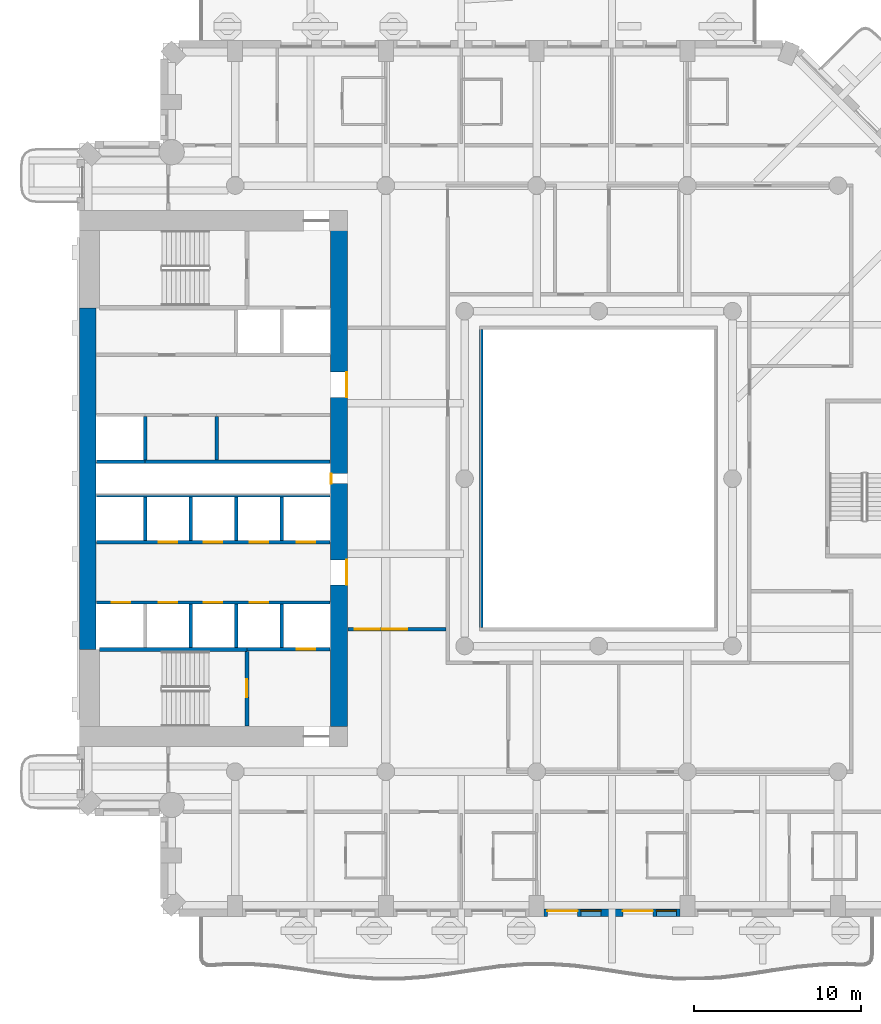
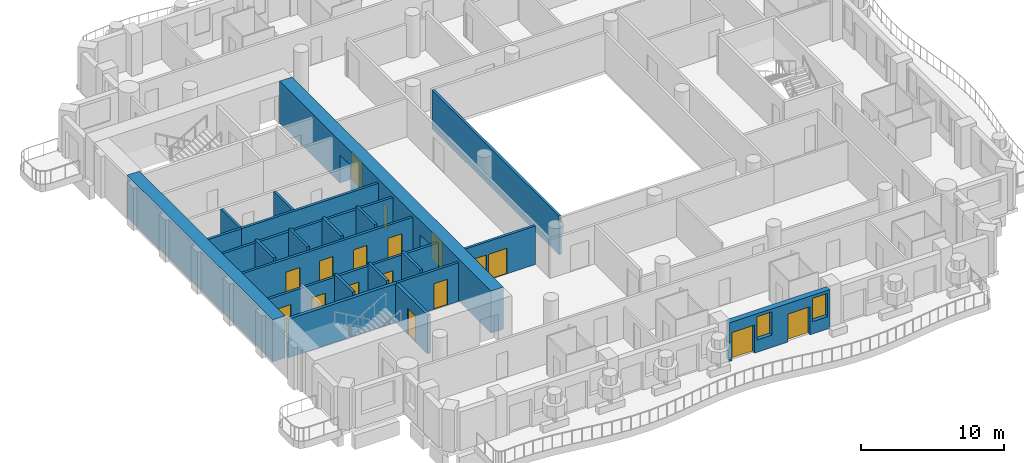
# One storey, part 4 of 19: 22 walls, 17 doors, 2 windows, 19 openings.
"""IFC4 building model written with IfcOpenShell, lengths in metres."""

from ifc_helpers import new_model, si_unit, direction, frame, frame_2d, origin, place, context, subcontext, project, spatial, rectangle, extrude, material, layer, layer_set, type_object, element, fill, save


model = new_model("IFC4")

# Units and contexts
model_context = context("Model", 3, precision=1e-05, world=origin(), true_north=direction((0.0, 1.0)))
body_context = subcontext(model_context, "Body", "Model", "MODEL_VIEW")
ifc_project = project(units=[si_unit("LENGTHUNIT", "METRE"), si_unit("AREAUNIT", "SQUARE_METRE"), si_unit("VOLUMEUNIT", "CUBIC_METRE"), si_unit("PLANEANGLEUNIT", "RADIAN"), si_unit("MASSUNIT", "GRAM", prefix="KILO")], contexts=[model_context])

# Site, building, storey
site_placement = place(None, origin())
site = spatial("IfcSite", under=ifc_project, at=site_placement, CompositionType="ELEMENT")
building_placement = place(site_placement, origin())
building = spatial("IfcBuilding", under=site, at=building_placement, Name="Cypress Arch Tower", CompositionType="ELEMENT")
storey_placement = place(building_placement, frame((0.0, 0.0, 105.89990234375)))
storey = spatial("IfcBuildingStorey", under=building, at=storey_placement, Name="L21", CompositionType="ELEMENT", Elevation=105.89990234375)

# Wall, openings, doors, windows
ifc_material_1 = material(Name="Brick (red buff blend)", Category="masonry")
ifc_layer_1 = layer(ifc_material_1, 0.449951171875)
ifc_layer_set_1 = layer_set([ifc_layer_1], Name="Brick pier and spandrel wall BW450")
wall_type_1 = type_object("IfcWallType", Name="Brick pier and spandrel wall BW450", PredefinedType="SOLIDWALL", material=ifc_layer_set_1)
wall_1_placement = place(storey_placement, frame((-2.25, -25.925048828125, 0.0), z_axis=(0.0, 0.0, 1.0), x_axis=(1.0, 0.0, 0.0)))
wall_1 = element("IfcWall", 1, at=wall_1_placement, inside=storey, type_object=wall_type_1, Name="Brick wall L21 A03.3", PredefinedType="SOLIDWALL", context=body_context, shape_type="SweptSolid", body=[
    extrude(rectangle(XDim=8.10009765625, YDim=0.449951171875, at=frame_2d((4.050048828125, 0.0))), origin(), (0.0, 0.0, 1.0), 3.300048828125),
])
opening_1_placement = place(wall_1_placement, frame((0.199951171875, 0.0, 0.0)))
opening_1 = element("IfcOpeningElement", 2, at=opening_1_placement, cuts=wall_1, Name="Opening D-L21-A03.3.1", PredefinedType="OPENING", context=body_context, shape_type="SweptSolid", body=[
    extrude(rectangle(XDim=1.800048828125, YDim=2.39990234375, at=frame_2d((0.89990234375, 1.199951171875))), frame((0.0, 0.23486328125, 0.0), z_axis=(0.0, -1.0, 0.0), x_axis=(1.0, 0.0, 0.0)), (0.0, 0.0, 1.0), 0.469970703125),
])
opening_2_placement = place(wall_1_placement, frame((2.199951171875, 0.0, 1.050048828125)))
opening_2 = element("IfcOpeningElement", 3, at=opening_2_placement, cuts=wall_1, Name="Opening W120HD", PredefinedType="OPENING", context=body_context, shape_type="SweptSolid", body=[
    extrude(rectangle(XDim=1.199951171875, YDim=2.0, at=frame_2d((0.60009765625, 1.0))), frame((0.0, 0.23486328125, 0.0), z_axis=(0.0, -1.0, 0.0), x_axis=(1.0, 0.0, 0.0)), (0.0, 0.0, 1.0), 0.469970703125),
])
opening_3_placement = place(wall_1_placement, frame((4.699951171875, 0.0, 0.0)))
opening_3 = element("IfcOpeningElement", 4, at=opening_3_placement, cuts=wall_1, Name="Opening D-L21-A03.3.2", PredefinedType="OPENING", context=body_context, shape_type="SweptSolid", body=[
    extrude(rectangle(XDim=1.800048828125, YDim=2.39990234375, at=frame_2d((0.89990234375, 1.199951171875))), frame((0.0, 0.23486328125, 0.0), z_axis=(0.0, -1.0, 0.0), x_axis=(1.0, 0.0, 0.0)), (0.0, 0.0, 1.0), 0.469970703125),
])
opening_4_placement = place(wall_1_placement, frame((6.699951171875, 0.0, 1.050048828125)))
opening_4 = element("IfcOpeningElement", 5, at=opening_4_placement, cuts=wall_1, Name="Opening W120HD", PredefinedType="OPENING", context=body_context, shape_type="SweptSolid", body=[
    extrude(rectangle(XDim=1.199951171875, YDim=2.0, at=frame_2d((0.60009765625, 1.0))), frame((0.0, 0.23486328125, 0.0), z_axis=(0.0, -1.0, 0.0), x_axis=(1.0, 0.0, 0.0)), (0.0, 0.0, 1.0), 0.469970703125),
])
ifc_material_2 = material(Name="Anodised aluminium, bronze finish, laminated low-emissivity double glazing, large-missile impact rated", Category="aluminium")
door_type_1 = type_object("IfcDoorType", Name="Balcony sliding door 1800x2400", OperationType="SLIDING_TO_LEFT", PredefinedType="DOOR", material=ifc_material_2)
door_1_placement = place(opening_1_placement, origin())
door_1 = element("IfcDoor", 6, at=door_1_placement, inside=storey, type_object=door_type_1, Name="Balcony door L21 A03.3.1", OperationType="SLIDING_TO_LEFT", OverallHeight=2.39990234375, OverallWidth=1.800048828125, PredefinedType="DOOR", context=body_context, shape_type="SweptSolid", body=[
    extrude(rectangle(XDim=1.800048828125, YDim=2.39990234375, at=frame_2d((0.89990234375, 1.199951171875))), frame((0.0, 0.1298828125, 0.0), z_axis=(0.0, -1.0, 0.0), x_axis=(1.0, 0.0, 0.0)), (0.0, 0.0, 1.0), 0.050048828125),
])
fill(opening_1, door_1)
door_2_placement = place(opening_3_placement, origin())
door_2 = element("IfcDoor", 7, at=door_2_placement, inside=storey, type_object=door_type_1, Name="Balcony door L21 A03.3.2", OperationType="SLIDING_TO_LEFT", OverallHeight=2.39990234375, OverallWidth=1.800048828125, PredefinedType="DOOR", context=body_context, shape_type="SweptSolid", body=[
    extrude(rectangle(XDim=1.800048828125, YDim=2.39990234375, at=frame_2d((0.89990234375, 1.199951171875))), frame((0.0, 0.1298828125, 0.0), z_axis=(0.0, -1.0, 0.0), x_axis=(1.0, 0.0, 0.0)), (0.0, 0.0, 1.0), 0.050048828125),
])
fill(opening_3, door_2)
ifc_material_3 = material(Name="Anodised aluminium, bronze finish, laminated low-emissivity double glazing, large-missile impact rated", Category="aluminium")
window_type = type_object("IfcWindowType", Name="Window Hotel 1200x2000 debris-rated", PartitioningType="SINGLE_PANEL", PredefinedType="WINDOW", material=ifc_material_3)
window_1_placement = place(opening_2_placement, origin())
window_1 = element("IfcWindow", 8, at=window_1_placement, inside=storey, type_object=window_type, Name="Window L21 A03.3.1", OverallHeight=2.0, OverallWidth=1.199951171875, PartitioningType="SINGLE_PANEL", PredefinedType="WINDOW", context=body_context, shape_type="SweptSolid", body=[
    extrude(rectangle(XDim=1.199951171875, YDim=2.0, at=frame_2d((0.60009765625, 1.0))), frame((0.0, 0.135009765625, 0.0), z_axis=(0.0, -1.0, 0.0), x_axis=(1.0, 0.0, 0.0)), (0.0, 0.0, 1.0), 0.06005859375),
])
fill(opening_2, window_1)
window_2_placement = place(opening_4_placement, origin())
window_2 = element("IfcWindow", 9, at=window_2_placement, inside=storey, type_object=window_type, Name="Window L21 A03.3.2", OverallHeight=2.0, OverallWidth=1.199951171875, PartitioningType="SINGLE_PANEL", PredefinedType="WINDOW", context=body_context, shape_type="SweptSolid", body=[
    extrude(rectangle(XDim=1.199951171875, YDim=2.0, at=frame_2d((0.60009765625, 1.0))), frame((0.0, 0.135009765625, 0.0), z_axis=(0.0, -1.0, 0.0), x_axis=(1.0, 0.0, 0.0)), (0.0, 0.0, 1.0), 0.06005859375),
])
fill(opening_4, window_2)

# Wall, openings, doors
ifc_material_4 = material(Name="Concrete C80/95", Category="concrete")
ifc_layer_2 = layer(ifc_material_4, 1.0)
ifc_layer_set_2 = layer_set([ifc_layer_2], Name="Core wall CW1000 C80/95")
wall_type_2 = type_object("IfcWallType", Name="Core wall CW1000 C80/95", PredefinedType="SHEAR", material=ifc_layer_set_2)
wall_2_placement = place(storey_placement, frame((-14.5, -14.800048828125, 0.0), z_axis=(0.0, 0.0, 1.0), x_axis=(0.0, 1.0, 0.0)))
wall_2 = element("IfcWall", 10, at=wall_2_placement, inside=storey, type_object=wall_type_2, Name="Core wall", PredefinedType="SHEAR", context=body_context, shape_type="SweptSolid", body=[
    extrude(rectangle(XDim=29.60009765625, YDim=1.0, at=frame_2d((14.800048828125, 0.0))), origin(), (0.0, 0.0, 1.0), 3.60009765625),
])
opening_5_placement = place(wall_2_placement, frame((8.449951171875, 0.0, 0.0)))
opening_5 = element("IfcOpeningElement", 11, at=opening_5_placement, cuts=wall_2, Name="Opening D07", PredefinedType="OPENING", context=body_context, shape_type="SweptSolid", body=[
    extrude(rectangle(XDim=1.5, YDim=2.39990234375, at=frame_2d((0.75, 1.199951171875))), frame((0.0, 0.510009765625, 0.0), z_axis=(0.0, -1.0, 0.0), x_axis=(1.0, 0.0, 0.0)), (0.0, 0.0, 1.0), 1.02001953125),
])
opening_6_placement = place(wall_2_placement, frame((19.64990234375, 0.0, 0.0)))
opening_6 = element("IfcOpeningElement", 12, at=opening_6_placement, cuts=wall_2, Name="Opening D07", PredefinedType="OPENING", context=body_context, shape_type="SweptSolid", body=[
    extrude(rectangle(XDim=1.5, YDim=2.39990234375, at=frame_2d((0.75, 1.199951171875))), frame((0.0, 0.510009765625, 0.0), z_axis=(0.0, -1.0, 0.0), x_axis=(1.0, 0.0, 0.0)), (0.0, 0.0, 1.0), 1.02001953125),
])
opening_7_placement = place(wall_2_placement, frame((14.5, 0.0, 0.0)))
opening_7 = element("IfcOpeningElement", 13, at=opening_7_placement, cuts=wall_2, Name="Opening D08", PredefinedType="OPENING", context=body_context, shape_type="SweptSolid", body=[
    extrude(rectangle(XDim=0.60009765625, YDim=2.0, at=frame_2d((0.300048828125, 1.0))), frame((0.0, 0.510009765625, 0.0), z_axis=(0.0, -1.0, 0.0), x_axis=(1.0, 0.0, 0.0)), (0.0, 0.0, 1.0), 1.02001953125),
])
ifc_material_5 = material(Name="Steel framed glazed door, fire resisting", Category="steel")
door_type_2 = type_object("IfcDoorType", Name="Lobby door D07 1500x2400", OperationType="DOUBLE_DOOR_SINGLE_SWING", PredefinedType="DOOR", material=ifc_material_5)
door_3_placement = place(opening_5_placement, origin())
door_3 = element("IfcDoor", 14, at=door_3_placement, inside=storey, type_object=door_type_2, Name="Lobby door", OperationType="DOUBLE_DOOR_SINGLE_SWING", OverallHeight=2.39990234375, OverallWidth=1.5, PredefinedType="DOOR", context=body_context, shape_type="SweptSolid", body=[
    extrude(rectangle(XDim=1.5, YDim=2.39990234375, at=frame_2d((0.75, 1.199951171875))), frame((0.0, -0.44482421875, 0.0), z_axis=(0.0, -1.0, 0.0), x_axis=(1.0, 0.0, 0.0)), (0.0, 0.0, 1.0), 0.050048828125),
])
fill(opening_5, door_3)
door_4_placement = place(opening_6_placement, origin())
door_4 = element("IfcDoor", 15, at=door_4_placement, inside=storey, type_object=door_type_2, Name="Lobby door", OperationType="DOUBLE_DOOR_SINGLE_SWING", OverallHeight=2.39990234375, OverallWidth=1.5, PredefinedType="DOOR", context=body_context, shape_type="SweptSolid", body=[
    extrude(rectangle(XDim=1.5, YDim=2.39990234375, at=frame_2d((0.75, 1.199951171875))), frame((0.0, -0.44482421875, 0.0), z_axis=(0.0, -1.0, 0.0), x_axis=(1.0, 0.0, 0.0)), (0.0, 0.0, 1.0), 0.050048828125),
])
fill(opening_6, door_4)
ifc_material_6 = material(Name="Steel access door, fire resisting", Category="steel")
door_type_3 = type_object("IfcDoorType", Name="Riser access door D08 600x2000", OperationType="SINGLE_SWING_LEFT", PredefinedType="DOOR", material=ifc_material_6)
door_5_placement = place(opening_7_placement, origin())
door_5 = element("IfcDoor", 16, at=door_5_placement, inside=storey, type_object=door_type_3, Name="Riser access door", OperationType="SINGLE_SWING_RIGHT", OverallHeight=2.0, OverallWidth=0.60009765625, PredefinedType="DOOR", context=body_context, shape_type="SweptSolid", body=[
    extrude(rectangle(XDim=0.60009765625, YDim=2.0, at=frame_2d((0.300048828125, 1.0))), frame((0.0, 0.4951171875, 0.0), z_axis=(0.0, -1.0, 0.0), x_axis=(1.0, 0.0, 0.0)), (0.0, 0.0, 1.0), 0.050048828125),
])
fill(opening_7, door_5)

# Wall
wall_3_placement = place(storey_placement, frame((-29.5, -10.199951171875, 0.0), z_axis=(0.0, 0.0, 1.0), x_axis=(0.0, 1.0, 0.0)))
element("IfcWall", 17, at=wall_3_placement, inside=storey, type_object=wall_type_2, Name="Core wall", PredefinedType="SHEAR", context=body_context, shape_type="SweptSolid", body=[
    extrude(rectangle(XDim=20.39990234375, YDim=1.0, at=frame_2d((10.199951171875, 0.0))), origin(), (0.0, 0.0, 1.0), 3.60009765625),
])

# Wall, openings, doors
ifc_material_7 = material(Name="Concrete blockwork, plastered, rated", Category="masonry")
ifc_layer_3 = layer(ifc_material_7, 0.199951171875)
ifc_layer_set_3 = layer_set([ifc_layer_3], Name="Corridor wall FW200")
wall_type_3 = type_object("IfcWallType", Name="Corridor wall FW200", PredefinedType="PARTITIONING", material=ifc_layer_set_3)
wall_4_placement = place(storey_placement, frame((-13.969970703125, -9.0, 0.0), z_axis=(0.0, 0.0, 1.0), x_axis=(1.0, 0.0, 0.0)))
wall_4 = element("IfcWall", 18, at=wall_4_placement, inside=storey, type_object=wall_type_3, Name="Corridor wall", PredefinedType="PARTITIONING", context=body_context, shape_type="SweptSolid", body=[
    extrude(rectangle(XDim=5.869873046875, YDim=0.199951171875, at=frame_2d((2.93505859375, 0.0))), origin(), (0.0, 0.0, 1.0), 3.300048828125),
])
opening_8_placement = place(wall_4_placement, frame((0.39990234375, 0.0, 0.0)))
opening_8 = element("IfcOpeningElement", 19, at=opening_8_placement, cuts=wall_4, Name="Opening D04", PredefinedType="OPENING", context=body_context, shape_type="SweptSolid", body=[
    extrude(rectangle(XDim=1.5, YDim=2.199951171875, at=frame_2d((0.75, 1.10009765625))), frame((0.0, 0.10986328125, 0.0), z_axis=(0.0, -1.0, 0.0), x_axis=(1.0, 0.0, 0.0)), (0.0, 0.0, 1.0), 0.219970703125),
])
opening_9_placement = place(wall_4_placement, frame((2.050048828125, 0.0, 0.0)))
opening_9 = element("IfcOpeningElement", 20, at=opening_9_placement, cuts=wall_4, Name="Opening D04", PredefinedType="OPENING", context=body_context, shape_type="SweptSolid", body=[
    extrude(rectangle(XDim=1.5, YDim=2.199951171875, at=frame_2d((0.75, 1.10009765625))), frame((0.0, 0.10986328125, 0.0), z_axis=(0.0, -1.0, 0.0), x_axis=(1.0, 0.0, 0.0)), (0.0, 0.0, 1.0), 0.219970703125),
])
ifc_material_8 = material(Name="Timber double door", Category="wood")
door_type_4 = type_object("IfcDoorType", Name="Double door D04 1500x2200", OperationType="DOUBLE_DOOR_SINGLE_SWING", PredefinedType="DOOR", material=ifc_material_8)
door_6_placement = place(opening_8_placement, origin())
door_6 = element("IfcDoor", 21, at=door_6_placement, inside=storey, type_object=door_type_4, Name="Double door", OperationType="DOUBLE_DOOR_SINGLE_SWING", OverallHeight=2.199951171875, OverallWidth=1.5, PredefinedType="DOOR", context=body_context, shape_type="SweptSolid", body=[
    extrude(rectangle(XDim=1.5, YDim=2.199951171875, at=frame_2d((0.75, 1.10009765625))), frame((0.0, 0.02490234375, 0.0), z_axis=(0.0, -1.0, 0.0), x_axis=(1.0, 0.0, 0.0)), (0.0, 0.0, 1.0), 0.050048828125),
])
fill(opening_8, door_6)
door_7_placement = place(opening_9_placement, origin())
door_7 = element("IfcDoor", 22, at=door_7_placement, inside=storey, type_object=door_type_4, Name="Double door", OperationType="DOUBLE_DOOR_SINGLE_SWING", OverallHeight=2.199951171875, OverallWidth=1.5, PredefinedType="DOOR", context=body_context, shape_type="SweptSolid", body=[
    extrude(rectangle(XDim=1.5, YDim=2.199951171875, at=frame_2d((0.75, 1.10009765625))), frame((0.0, 0.02490234375, 0.0), z_axis=(0.0, -1.0, 0.0), x_axis=(1.0, 0.0, 0.0)), (0.0, 0.0, 1.0), 0.050048828125),
])
fill(opening_9, door_7)

# Walls
wall_5_placement = place(storey_placement, frame((-6.0, -8.89990234375, 0.0), z_axis=(0.0, 0.0, 1.0), x_axis=(0.0, 1.0, 0.0)))
element("IfcWall", 23, at=wall_5_placement, inside=storey, type_object=wall_type_3, Name="Corridor wall", PredefinedType="PARTITIONING", context=body_context, shape_type="SweptSolid", body=[
    extrude(rectangle(XDim=17.7998046875, YDim=0.199951171875, at=frame_2d((8.89990234375, 0.0))), origin(), (0.0, 0.0, 1.0), 3.300048828125),
])
ifc_material_9 = material(Name="Reinforced blockwork, plastered, rated", Category="masonry")
ifc_layer_4 = layer(ifc_material_9, 0.199951171875)
ifc_layer_set_4 = layer_set([ifc_layer_4], Name="Plant and riser wall PL200")
wall_type_4 = type_object("IfcWallType", Name="Plant and riser wall PL200", PredefinedType="PARTITIONING", material=ifc_layer_set_4)
wall_6_placement = place(storey_placement, frame((-26.10009765625, 1.0, 0.0), z_axis=(0.0, 0.0, 1.0), x_axis=(1.0, 0.0, 0.0)))
element("IfcWall", 24, at=wall_6_placement, inside=storey, type_object=wall_type_4, Name="Plant and riser wall", PredefinedType="PARTITIONING", context=body_context, shape_type="SweptSolid", body=[
    extrude(rectangle(XDim=11.070068359375, YDim=0.199951171875, at=frame_2d((5.53515625, 0.0))), origin(), (0.0, 0.0, 1.0), 3.300048828125),
])
wall_7_placement = place(storey_placement, frame((-21.800048828125, 1.10009765625, 0.0), z_axis=(0.0, 0.0, 1.0), x_axis=(0.0, 1.0, 0.0)))
element("IfcWall", 25, at=wall_7_placement, inside=storey, type_object=wall_type_4, Name="Plant and riser wall", PredefinedType="PARTITIONING", context=body_context, shape_type="SweptSolid", body=[
    extrude(rectangle(XDim=2.599853515625, YDim=0.199951171875, at=frame_2d((1.2998046875, 0.0))), origin(), (0.0, 0.0, 1.0), 3.300048828125),
])

# Wall, openings, doors
ifc_material_10 = material(Name="Concrete C50/60", Category="concrete")
ifc_layer_5 = layer(ifc_material_10, 0.199951171875)
ifc_layer_set_5 = layer_set([ifc_layer_5], Name="Shaft wall SH200")
wall_type_5 = type_object("IfcWallType", Name="Shaft wall SH200", PredefinedType="SHEAR", material=ifc_layer_set_5)
wall_8_placement = place(storey_placement, frame((-28.969970703125, -7.39990234375, 0.0), z_axis=(0.0, 0.0, 1.0), x_axis=(1.0, 0.0, 0.0)))
wall_8 = element("IfcWall", 26, at=wall_8_placement, inside=storey, type_object=wall_type_5, Name="Shaft wall", PredefinedType="SHEAR", context=body_context, shape_type="SweptSolid", body=[
    extrude(rectangle(XDim=13.93994140625, YDim=0.199951171875, at=frame_2d((6.969970703125, 0.0))), origin(), (0.0, 0.0, 1.0), 3.300048828125),
])
opening_10_placement = place(wall_8_placement, frame((0.89990234375, 0.0, 0.0)))
opening_10 = element("IfcOpeningElement", 27, at=opening_10_placement, cuts=wall_8, Name="Opening LD-LR1", PredefinedType="OPENING", context=body_context, shape_type="SweptSolid", body=[
    extrude(rectangle(XDim=1.10009765625, YDim=2.199951171875, at=frame_2d((0.550048828125, 1.10009765625))), frame((0.0, 0.10986328125, 0.0), z_axis=(0.0, -1.0, 0.0), x_axis=(1.0, 0.0, 0.0)), (0.0, 0.0, 1.0), 0.219970703125),
])
opening_11_placement = place(wall_8_placement, frame((3.699951171875, 0.0, 0.0)))
opening_11 = element("IfcOpeningElement", 28, at=opening_11_placement, cuts=wall_8, Name="Opening LD-LR2", PredefinedType="OPENING", context=body_context, shape_type="SweptSolid", body=[
    extrude(rectangle(XDim=1.10009765625, YDim=2.199951171875, at=frame_2d((0.550048828125, 1.10009765625))), frame((0.0, 0.10986328125, 0.0), z_axis=(0.0, -1.0, 0.0), x_axis=(1.0, 0.0, 0.0)), (0.0, 0.0, 1.0), 0.219970703125),
])
opening_12_placement = place(wall_8_placement, frame((6.39990234375, 0.0, 0.0)))
opening_12 = element("IfcOpeningElement", 29, at=opening_12_placement, cuts=wall_8, Name="Opening LD-LR3", PredefinedType="OPENING", context=body_context, shape_type="SweptSolid", body=[
    extrude(rectangle(XDim=1.10009765625, YDim=2.199951171875, at=frame_2d((0.550048828125, 1.10009765625))), frame((0.0, 0.10986328125, 0.0), z_axis=(0.0, -1.0, 0.0), x_axis=(1.0, 0.0, 0.0)), (0.0, 0.0, 1.0), 0.219970703125),
])
opening_13_placement = place(wall_8_placement, frame((9.14990234375, 0.0, 0.0)))
opening_13 = element("IfcOpeningElement", 30, at=opening_13_placement, cuts=wall_8, Name="Opening LD-LR4", PredefinedType="OPENING", context=body_context, shape_type="SweptSolid", body=[
    extrude(rectangle(XDim=1.10009765625, YDim=2.199951171875, at=frame_2d((0.550048828125, 1.10009765625))), frame((0.0, 0.10986328125, 0.0), z_axis=(0.0, -1.0, 0.0), x_axis=(1.0, 0.0, 0.0)), (0.0, 0.0, 1.0), 0.219970703125),
])
ifc_material_11 = material(Name="Stainless steel centre-opening landing door, rated", Category="steel")
door_type_5 = type_object("IfcDoorType", Name="Lift landing door LD 1100x2200", OperationType="DOUBLE_DOOR_SLIDING", PredefinedType="DOOR", material=ifc_material_11)
door_8_placement = place(opening_10_placement, origin())
door_8 = element("IfcDoor", 31, at=door_8_placement, inside=storey, type_object=door_type_5, Name="Lift landing doors LR1", OperationType="DOUBLE_DOOR_SLIDING", OverallHeight=2.199951171875, OverallWidth=1.10009765625, PredefinedType="DOOR", context=body_context, shape_type="SweptSolid", body=[
    extrude(rectangle(XDim=1.10009765625, YDim=2.199951171875, at=frame_2d((0.550048828125, 1.10009765625))), frame((0.0, 0.02490234375, 0.0), z_axis=(0.0, -1.0, 0.0), x_axis=(1.0, 0.0, 0.0)), (0.0, 0.0, 1.0), 0.050048828125),
])
fill(opening_10, door_8)
door_9_placement = place(opening_11_placement, origin())
door_9 = element("IfcDoor", 32, at=door_9_placement, inside=storey, type_object=door_type_5, Name="Lift landing doors LR2", OperationType="DOUBLE_DOOR_SLIDING", OverallHeight=2.199951171875, OverallWidth=1.10009765625, PredefinedType="DOOR", context=body_context, shape_type="SweptSolid", body=[
    extrude(rectangle(XDim=1.10009765625, YDim=2.199951171875, at=frame_2d((0.550048828125, 1.10009765625))), frame((0.0, 0.02490234375, 0.0), z_axis=(0.0, -1.0, 0.0), x_axis=(1.0, 0.0, 0.0)), (0.0, 0.0, 1.0), 0.050048828125),
])
fill(opening_11, door_9)
door_10_placement = place(opening_12_placement, origin())
door_10 = element("IfcDoor", 33, at=door_10_placement, inside=storey, type_object=door_type_5, Name="Lift landing doors LR3", OperationType="DOUBLE_DOOR_SLIDING", OverallHeight=2.199951171875, OverallWidth=1.10009765625, PredefinedType="DOOR", context=body_context, shape_type="SweptSolid", body=[
    extrude(rectangle(XDim=1.10009765625, YDim=2.199951171875, at=frame_2d((0.550048828125, 1.10009765625))), frame((0.0, 0.02490234375, 0.0), z_axis=(0.0, -1.0, 0.0), x_axis=(1.0, 0.0, 0.0)), (0.0, 0.0, 1.0), 0.050048828125),
])
fill(opening_12, door_10)
door_11_placement = place(opening_13_placement, origin())
door_11 = element("IfcDoor", 34, at=door_11_placement, inside=storey, type_object=door_type_5, Name="Lift landing doors LR4", OperationType="DOUBLE_DOOR_SLIDING", OverallHeight=2.199951171875, OverallWidth=1.10009765625, PredefinedType="DOOR", context=body_context, shape_type="SweptSolid", body=[
    extrude(rectangle(XDim=1.10009765625, YDim=2.199951171875, at=frame_2d((0.550048828125, 1.10009765625))), frame((0.0, 0.02490234375, 0.0), z_axis=(0.0, -1.0, 0.0), x_axis=(1.0, 0.0, 0.0)), (0.0, 0.0, 1.0), 0.050048828125),
])
fill(opening_13, door_11)

wall_9_placement = place(storey_placement, frame((-28.969970703125, -3.800048828125, 0.0), z_axis=(0.0, 0.0, 1.0), x_axis=(1.0, 0.0, 0.0)))
wall_9 = element("IfcWall", 35, at=wall_9_placement, inside=storey, type_object=wall_type_5, Name="Shaft wall", PredefinedType="SHEAR", context=body_context, shape_type="SweptSolid", body=[
    extrude(rectangle(XDim=13.93994140625, YDim=0.199951171875, at=frame_2d((6.969970703125, 0.0))), origin(), (0.0, 0.0, 1.0), 3.300048828125),
])
opening_14_placement = place(wall_9_placement, frame((3.699951171875, 0.0, 0.0)))
opening_14 = element("IfcOpeningElement", 36, at=opening_14_placement, cuts=wall_9, Name="Opening LD-LR5", PredefinedType="OPENING", context=body_context, shape_type="SweptSolid", body=[
    extrude(rectangle(XDim=1.10009765625, YDim=2.199951171875, at=frame_2d((0.550048828125, 1.10009765625))), frame((0.0, 0.10986328125, 0.0), z_axis=(0.0, -1.0, 0.0), x_axis=(1.0, 0.0, 0.0)), (0.0, 0.0, 1.0), 0.219970703125),
])
opening_15_placement = place(wall_9_placement, frame((6.39990234375, 0.0, 0.0)))
opening_15 = element("IfcOpeningElement", 37, at=opening_15_placement, cuts=wall_9, Name="Opening LD-LR6", PredefinedType="OPENING", context=body_context, shape_type="SweptSolid", body=[
    extrude(rectangle(XDim=1.10009765625, YDim=2.199951171875, at=frame_2d((0.550048828125, 1.10009765625))), frame((0.0, 0.10986328125, 0.0), z_axis=(0.0, -1.0, 0.0), x_axis=(1.0, 0.0, 0.0)), (0.0, 0.0, 1.0), 0.219970703125),
])
opening_16_placement = place(wall_9_placement, frame((9.14990234375, 0.0, 0.0)))
opening_16 = element("IfcOpeningElement", 38, at=opening_16_placement, cuts=wall_9, Name="Opening LD-LR7", PredefinedType="OPENING", context=body_context, shape_type="SweptSolid", body=[
    extrude(rectangle(XDim=1.10009765625, YDim=2.199951171875, at=frame_2d((0.550048828125, 1.10009765625))), frame((0.0, 0.10986328125, 0.0), z_axis=(0.0, -1.0, 0.0), x_axis=(1.0, 0.0, 0.0)), (0.0, 0.0, 1.0), 0.219970703125),
])
opening_17_placement = place(wall_9_placement, frame((11.949951171875, 0.0, 0.0)))
opening_17 = element("IfcOpeningElement", 39, at=opening_17_placement, cuts=wall_9, Name="Opening LD-LR8", PredefinedType="OPENING", context=body_context, shape_type="SweptSolid", body=[
    extrude(rectangle(XDim=1.10009765625, YDim=2.199951171875, at=frame_2d((0.550048828125, 1.10009765625))), frame((0.0, 0.10986328125, 0.0), z_axis=(0.0, -1.0, 0.0), x_axis=(1.0, 0.0, 0.0)), (0.0, 0.0, 1.0), 0.219970703125),
])
door_12_placement = place(opening_14_placement, origin())
door_12 = element("IfcDoor", 40, at=door_12_placement, inside=storey, type_object=door_type_5, Name="Lift landing doors LR5", OperationType="DOUBLE_DOOR_SLIDING", OverallHeight=2.199951171875, OverallWidth=1.10009765625, PredefinedType="DOOR", context=body_context, shape_type="SweptSolid", body=[
    extrude(rectangle(XDim=1.10009765625, YDim=2.199951171875, at=frame_2d((0.550048828125, 1.10009765625))), frame((0.0, 0.02490234375, 0.0), z_axis=(0.0, -1.0, 0.0), x_axis=(1.0, 0.0, 0.0)), (0.0, 0.0, 1.0), 0.050048828125),
])
fill(opening_14, door_12)
door_13_placement = place(opening_15_placement, origin())
door_13 = element("IfcDoor", 41, at=door_13_placement, inside=storey, type_object=door_type_5, Name="Lift landing doors LR6", OperationType="DOUBLE_DOOR_SLIDING", OverallHeight=2.199951171875, OverallWidth=1.10009765625, PredefinedType="DOOR", context=body_context, shape_type="SweptSolid", body=[
    extrude(rectangle(XDim=1.10009765625, YDim=2.199951171875, at=frame_2d((0.550048828125, 1.10009765625))), frame((0.0, 0.02490234375, 0.0), z_axis=(0.0, -1.0, 0.0), x_axis=(1.0, 0.0, 0.0)), (0.0, 0.0, 1.0), 0.050048828125),
])
fill(opening_15, door_13)
door_14_placement = place(opening_16_placement, origin())
door_14 = element("IfcDoor", 42, at=door_14_placement, inside=storey, type_object=door_type_5, Name="Lift landing doors LR7", OperationType="DOUBLE_DOOR_SLIDING", OverallHeight=2.199951171875, OverallWidth=1.10009765625, PredefinedType="DOOR", context=body_context, shape_type="SweptSolid", body=[
    extrude(rectangle(XDim=1.10009765625, YDim=2.199951171875, at=frame_2d((0.550048828125, 1.10009765625))), frame((0.0, 0.02490234375, 0.0), z_axis=(0.0, -1.0, 0.0), x_axis=(1.0, 0.0, 0.0)), (0.0, 0.0, 1.0), 0.050048828125),
])
fill(opening_16, door_14)
door_15_placement = place(opening_17_placement, origin())
door_15 = element("IfcDoor", 43, at=door_15_placement, inside=storey, type_object=door_type_5, Name="Lift landing doors LR8", OperationType="DOUBLE_DOOR_SLIDING", OverallHeight=2.199951171875, OverallWidth=1.10009765625, PredefinedType="DOOR", context=body_context, shape_type="SweptSolid", body=[
    extrude(rectangle(XDim=1.10009765625, YDim=2.199951171875, at=frame_2d((0.550048828125, 1.10009765625))), frame((0.0, 0.02490234375, 0.0), z_axis=(0.0, -1.0, 0.0), x_axis=(1.0, 0.0, 0.0)), (0.0, 0.0, 1.0), 0.050048828125),
])
fill(opening_17, door_15)

# Walls
wall_10_placement = place(storey_placement, frame((-28.969970703125, -1.0, 0.0), z_axis=(0.0, 0.0, 1.0), x_axis=(1.0, 0.0, 0.0)))
element("IfcWall", 44, at=wall_10_placement, inside=storey, type_object=wall_type_5, Name="Shaft wall", PredefinedType="SHEAR", context=body_context, shape_type="SweptSolid", body=[
    extrude(rectangle(XDim=13.93994140625, YDim=0.199951171875, at=frame_2d((6.969970703125, 0.0))), origin(), (0.0, 0.0, 1.0), 3.300048828125),
])
wall_11_placement = place(storey_placement, frame((-28.969970703125, 1.0, 0.0), z_axis=(0.0, 0.0, 1.0), x_axis=(1.0, 0.0, 0.0)))
element("IfcWall", 45, at=wall_11_placement, inside=storey, type_object=wall_type_5, Name="Shaft wall", PredefinedType="SHEAR", context=body_context, shape_type="SweptSolid", body=[
    extrude(rectangle(XDim=2.869873046875, YDim=0.199951171875, at=frame_2d((1.43505859375, 0.0))), origin(), (0.0, 0.0, 1.0), 3.300048828125),
])
wall_12_placement = place(storey_placement, frame((-26.080078125, -3.699951171875, 0.0), z_axis=(0.0, 0.0, 1.0), x_axis=(0.0, 1.0, 0.0)))
element("IfcWall", 46, at=wall_12_placement, inside=storey, type_object=wall_type_5, Name="Shaft wall", PredefinedType="SHEAR", context=body_context, shape_type="SweptSolid", body=[
    extrude(rectangle(XDim=2.599853515625, YDim=0.199951171875, at=frame_2d((1.2998046875, 0.0))), origin(), (0.0, 0.0, 1.0), 3.60009765625),
])
wall_13_placement = place(storey_placement, frame((-26.080078125, 1.10009765625, 0.0), z_axis=(0.0, 0.0, 1.0), x_axis=(0.0, 1.0, 0.0)))
element("IfcWall", 47, at=wall_13_placement, inside=storey, type_object=wall_type_5, Name="Shaft wall", PredefinedType="SHEAR", context=body_context, shape_type="SweptSolid", body=[
    extrude(rectangle(XDim=2.599853515625, YDim=0.199951171875, at=frame_2d((1.2998046875, 0.0))), origin(), (0.0, 0.0, 1.0), 3.300048828125),
])
wall_14_placement = place(storey_placement, frame((-23.360107421875, -10.074951171875, 0.0), z_axis=(0.0, 0.0, 1.0), x_axis=(0.0, 1.0, 0.0)))
element("IfcWall", 48, at=wall_14_placement, inside=storey, type_object=wall_type_5, Name="Shaft wall", PredefinedType="SHEAR", context=body_context, shape_type="SweptSolid", body=[
    extrude(rectangle(XDim=2.574951171875, YDim=0.199951171875, at=frame_2d((1.28759765625, 0.0))), origin(), (0.0, 0.0, 1.0), 3.60009765625),
])
wall_15_placement = place(storey_placement, frame((-23.360107421875, -3.699951171875, 0.0), z_axis=(0.0, 0.0, 1.0), x_axis=(0.0, 1.0, 0.0)))
element("IfcWall", 49, at=wall_15_placement, inside=storey, type_object=wall_type_5, Name="Shaft wall", PredefinedType="SHEAR", context=body_context, shape_type="SweptSolid", body=[
    extrude(rectangle(XDim=2.599853515625, YDim=0.199951171875, at=frame_2d((1.2998046875, 0.0))), origin(), (0.0, 0.0, 1.0), 3.60009765625),
])
wall_16_placement = place(storey_placement, frame((-20.639892578125, -10.074951171875, 0.0), z_axis=(0.0, 0.0, 1.0), x_axis=(0.0, 1.0, 0.0)))
element("IfcWall", 50, at=wall_16_placement, inside=storey, type_object=wall_type_5, Name="Shaft wall", PredefinedType="SHEAR", context=body_context, shape_type="SweptSolid", body=[
    extrude(rectangle(XDim=2.574951171875, YDim=0.199951171875, at=frame_2d((1.28759765625, 0.0))), origin(), (0.0, 0.0, 1.0), 3.60009765625),
])
wall_17_placement = place(storey_placement, frame((-20.639892578125, -3.699951171875, 0.0), z_axis=(0.0, 0.0, 1.0), x_axis=(0.0, 1.0, 0.0)))
element("IfcWall", 51, at=wall_17_placement, inside=storey, type_object=wall_type_5, Name="Shaft wall", PredefinedType="SHEAR", context=body_context, shape_type="SweptSolid", body=[
    extrude(rectangle(XDim=2.599853515625, YDim=0.199951171875, at=frame_2d((1.2998046875, 0.0))), origin(), (0.0, 0.0, 1.0), 3.60009765625),
])

# Wall, opening, door
wall_18_placement = place(storey_placement, frame((-19.97998046875, -10.199951171875, 0.0), z_axis=(0.0, 0.0, 1.0), x_axis=(1.0, 0.0, 0.0)))
wall_18 = element("IfcWall", 52, at=wall_18_placement, inside=storey, type_object=wall_type_5, Name="Shaft wall", PredefinedType="SHEAR", context=body_context, shape_type="SweptSolid", body=[
    extrude(rectangle(XDim=4.949951171875, YDim=0.199951171875, at=frame_2d((2.47509765625, 0.0))), origin(), (0.0, 0.0, 1.0), 3.300048828125),
])
opening_18_placement = place(wall_18_placement, frame((2.949951171875, 0.0, 0.0)))
opening_18 = element("IfcOpeningElement", 53, at=opening_18_placement, cuts=wall_18, Name="Opening LD-FL1", PredefinedType="OPENING", context=body_context, shape_type="SweptSolid", body=[
    extrude(rectangle(XDim=1.10009765625, YDim=2.199951171875, at=frame_2d((0.550048828125, 1.10009765625))), frame((0.0, 0.10986328125, 0.0), z_axis=(0.0, -1.0, 0.0), x_axis=(1.0, 0.0, 0.0)), (0.0, 0.0, 1.0), 0.219970703125),
])
door_16_placement = place(opening_18_placement, origin())
door_16 = element("IfcDoor", 54, at=door_16_placement, inside=storey, type_object=door_type_5, Name="Lift landing doors FL1", OperationType="DOUBLE_DOOR_SLIDING", OverallHeight=2.199951171875, OverallWidth=1.10009765625, PredefinedType="DOOR", context=body_context, shape_type="SweptSolid", body=[
    extrude(rectangle(XDim=1.10009765625, YDim=2.199951171875, at=frame_2d((0.550048828125, 1.10009765625))), frame((0.0, 0.02490234375, 0.0), z_axis=(0.0, -1.0, 0.0), x_axis=(1.0, 0.0, 0.0)), (0.0, 0.0, 1.0), 0.050048828125),
])
fill(opening_18, door_16)

# Walls
wall_19_placement = place(storey_placement, frame((-17.919921875, -10.10009765625, 0.0), z_axis=(0.0, 0.0, 1.0), x_axis=(0.0, 1.0, 0.0)))
element("IfcWall", 55, at=wall_19_placement, inside=storey, type_object=wall_type_5, Name="Shaft wall", PredefinedType="SHEAR", context=body_context, shape_type="SweptSolid", body=[
    extrude(rectangle(XDim=2.60009765625, YDim=0.199951171875, at=frame_2d((1.300048828125, 0.0))), origin(), (0.0, 0.0, 1.0), 3.60009765625),
])
wall_20_placement = place(storey_placement, frame((-17.919921875, -3.699951171875, 0.0), z_axis=(0.0, 0.0, 1.0), x_axis=(0.0, 1.0, 0.0)))
element("IfcWall", 56, at=wall_20_placement, inside=storey, type_object=wall_type_5, Name="Shaft wall", PredefinedType="SHEAR", context=body_context, shape_type="SweptSolid", body=[
    extrude(rectangle(XDim=2.599853515625, YDim=0.199951171875, at=frame_2d((1.2998046875, 0.0))), origin(), (0.0, 0.0, 1.0), 3.60009765625),
])
ifc_material_12 = material(Name="Concrete C50/60", Category="concrete")
ifc_layer_6 = layer(ifc_material_12, 0.25)
ifc_layer_set_6 = layer_set([ifc_layer_6], Name="Stair enclosure wall SW250")
wall_type_6 = type_object("IfcWallType", Name="Stair enclosure wall SW250", PredefinedType="SHEAR", material=ifc_layer_set_6)
wall_21_placement = place(storey_placement, frame((-28.81005859375, -10.199951171875, 0.0), z_axis=(0.0, 0.0, 1.0), x_axis=(1.0, 0.0, 0.0)))
element("IfcWall", 57, at=wall_21_placement, inside=storey, type_object=wall_type_6, Name="Stair enclosure wall", PredefinedType="SHEAR", context=body_context, shape_type="SweptSolid", body=[
    extrude(rectangle(XDim=8.830078125, YDim=0.25, at=frame_2d((4.4150390625, 0.0))), origin(), (0.0, 0.0, 1.0), 3.300048828125),
])

# Wall, opening, door
wall_22_placement = place(storey_placement, frame((-20.0, -14.77001953125, 0.0), z_axis=(0.0, 0.0, 1.0), x_axis=(0.0, 1.0, 0.0)))
wall_22 = element("IfcWall", 58, at=wall_22_placement, inside=storey, type_object=wall_type_6, Name="Stair enclosure wall", PredefinedType="SHEAR", context=body_context, shape_type="SweptSolid", body=[
    extrude(rectangle(XDim=4.445068359375, YDim=0.25, at=frame_2d((2.22265625, 0.0))), origin(), (0.0, 0.0, 1.0), 3.300048828125),
])
opening_19_placement = place(wall_22_placement, frame((1.699951171875, 0.0, 0.0)))
opening_19 = element("IfcOpeningElement", 59, at=opening_19_placement, cuts=wall_22, Name="Opening D06", PredefinedType="OPENING", context=body_context, shape_type="SweptSolid", body=[
    extrude(rectangle(XDim=1.10009765625, YDim=2.199951171875, at=frame_2d((0.550048828125, 1.10009765625))), frame((0.0, 0.135009765625, 0.0), z_axis=(0.0, -1.0, 0.0), x_axis=(1.0, 0.0, 0.0)), (0.0, 0.0, 1.0), 0.27001953125),
])
ifc_material_13 = material(Name="Steel door, fire resisting, panic bar", Category="steel")
door_type_6 = type_object("IfcDoorType", Name="Stair door D06 1100x2200", OperationType="SINGLE_SWING_LEFT", PredefinedType="DOOR", material=ifc_material_13)
door_17_placement = place(opening_19_placement, origin())
door_17 = element("IfcDoor", 60, at=door_17_placement, inside=storey, type_object=door_type_6, Name="Stair door", OperationType="SINGLE_SWING_RIGHT", OverallHeight=2.199951171875, OverallWidth=1.10009765625, PredefinedType="DOOR", context=body_context, shape_type="SweptSolid", body=[
    extrude(rectangle(XDim=1.10009765625, YDim=2.199951171875, at=frame_2d((0.550048828125, 1.10009765625))), frame((0.0, 0.02490234375, 0.0), z_axis=(0.0, -1.0, 0.0), x_axis=(1.0, 0.0, 0.0)), (0.0, 0.0, 1.0), 0.050048828125),
])
fill(opening_19, door_17)

save(model, "model.ifc")
